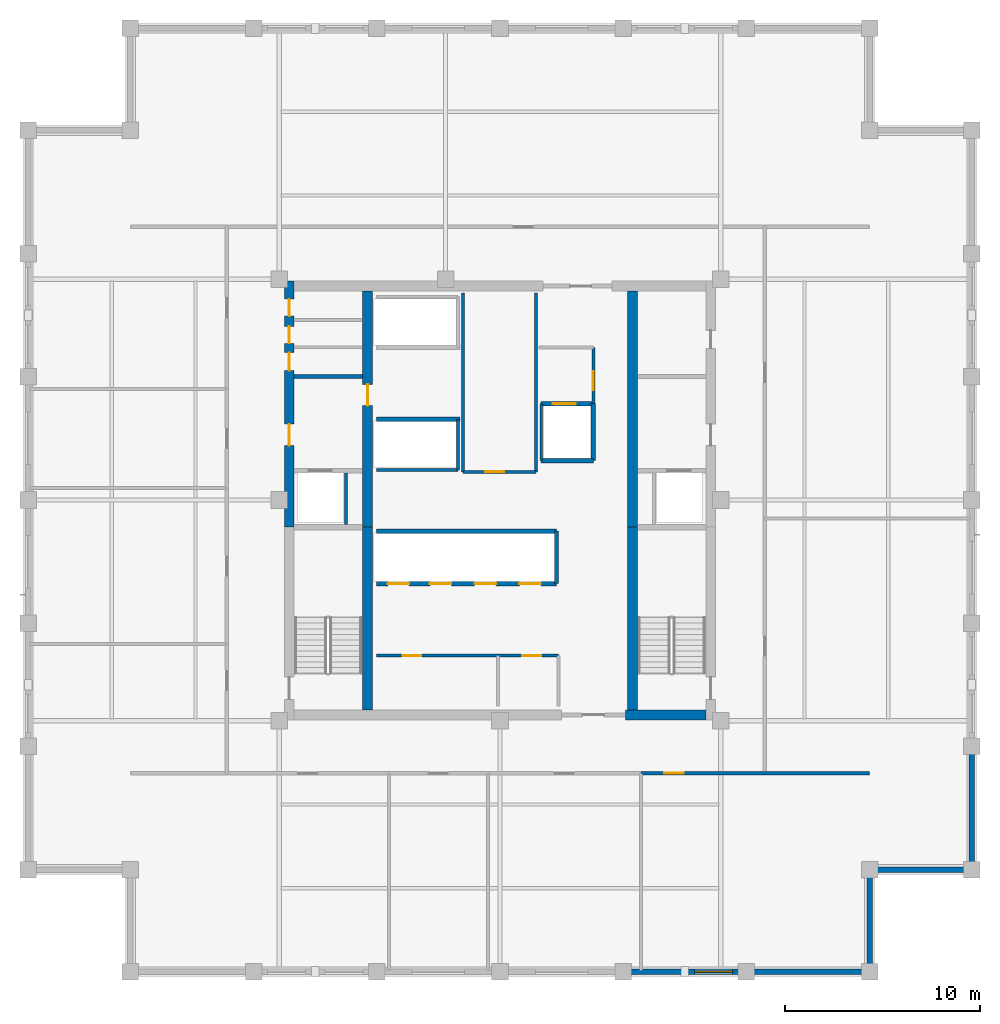
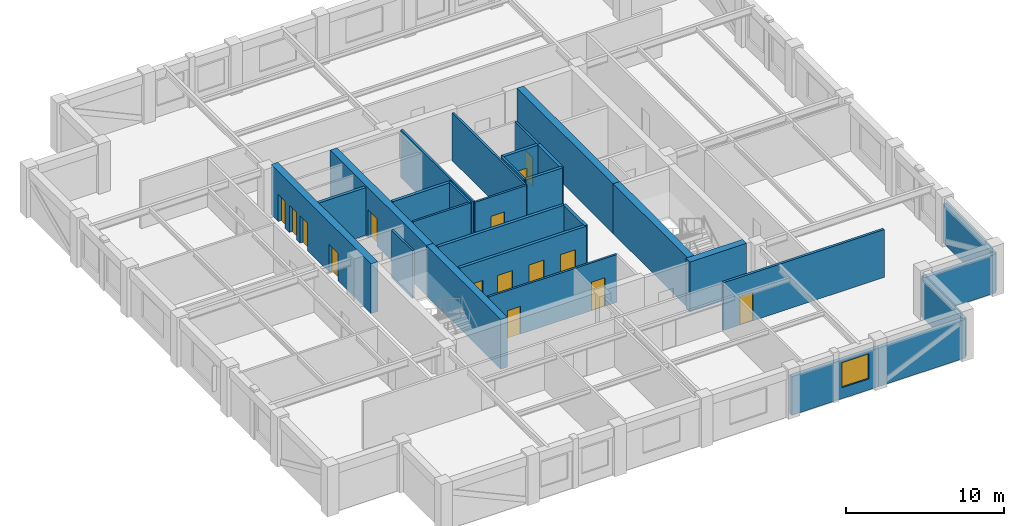
# One storey, part 6 of 9: 29 walls, 15 doors, 1 window, 16 openings.
"""IFC4 building model written with IfcOpenShell, lengths in metres."""

from ifc_helpers import new_model, si_unit, direction, frame, frame_2d, origin, place, context, subcontext, project, spatial, rectangle, extrude, material, layer, layer_set, type_object, element, fill, save


model = new_model("IFC4")

# Units and contexts
model_context = context("Model", 3, precision=1e-05, world=origin(), true_north=direction((0.0, 1.0)))
body_context = subcontext(model_context, "Body", "Model", "MODEL_VIEW")
ifc_project = project(units=[si_unit("LENGTHUNIT", "METRE"), si_unit("AREAUNIT", "SQUARE_METRE"), si_unit("VOLUMEUNIT", "CUBIC_METRE"), si_unit("PLANEANGLEUNIT", "RADIAN"), si_unit("MASSUNIT", "GRAM", prefix="KILO")], contexts=[model_context])

# Site, building, storey
site_placement = place(None, origin())
site = spatial("IfcSite", under=ifc_project, at=site_placement, CompositionType="ELEMENT")
building_placement = place(site_placement, origin())
building = spatial("IfcBuilding", under=site, at=building_placement, Name="Nhamokura Convention Tower", CompositionType="ELEMENT")
storey_placement = place(building_placement, frame((0.0, 0.0, 221.550048828125)))
storey = spatial("IfcBuildingStorey", under=building, at=storey_placement, Name="L54", CompositionType="ELEMENT", Elevation=221.550048828125)

# Wall, opening, window
ifc_material_1 = material(Name="Bronze-pigmented precast concrete C45/55", Category="concrete")
ifc_layer_1 = layer(ifc_material_1, 0.280029296875)
ifc_layer_set_1 = layer_set([ifc_layer_1], Name="BronzePrecastSpandrel_280")
wall_type_1 = type_object("IfcWallType", Name="BronzePrecastSpandrel_280", PredefinedType="USERDEFINED", material=ifc_layer_set_1)
wall_1_placement = place(storey_placement, frame((44.666748046875, 7.75, 0.0), z_axis=(0.0, 0.0, 1.0), x_axis=(-1.0, 0.0, 0.0)))
wall_1 = element("IfcWall", 1, at=wall_1_placement, inside=storey, type_object=wall_type_1, Name="L54 Masonry-Frame Wall SOUTH 4", ObjectType="SPANDREL_WALL", PredefinedType="USERDEFINED", context=body_context, shape_type="SweptSolid", body=[
    extrude(rectangle(XDim=6.33349609375, YDim=0.280029296875, at=frame_2d((3.166748046875, 0.0))), origin(), (0.0, 0.0, 1.0), 2.98486328125),
])
opening_1_placement = place(wall_1_placement, frame((0.708251953125, 0.0, 0.85009765625)))
opening_1 = element("IfcOpeningElement", 2, at=opening_1_placement, cuts=wall_1, Name="Opening W-08", PredefinedType="OPENING", context=body_context, shape_type="SweptSolid", body=[
    extrude(rectangle(XDim=1.949951171875, YDim=1.93505859375, at=frame_2d((0.97509765625, 0.967529296875))), frame((0.0, 0.14990234375, 0.0), z_axis=(0.0, -1.0, 0.0), x_axis=(1.0, 0.0, 0.0)), (0.0, 0.0, 1.0), 0.300048828125),
])
ifc_material_2 = material(Name="Solar-control bronze low-E double glass", Category="glass")
window_type = type_object("IfcWindowType", Name="OfficeModuleWindow_Z3_1950", PartitioningType="SINGLE_PANEL", PredefinedType="WINDOW", material=ifc_material_2)
window_placement = place(opening_1_placement, origin())
window = element("IfcWindow", 3, at=window_placement, inside=storey, type_object=window_type, Name="L54 Facade Window SOUTH 4-1", OverallHeight=1.93505859375, OverallWidth=1.949951171875, PartitioningType="SINGLE_PANEL", PredefinedType="WINDOW", context=body_context, shape_type="SweptSolid", body=[
    extrude(rectangle(XDim=1.949951171875, YDim=1.93505859375, at=frame_2d((0.97509765625, 0.967529296875))), frame((0.0, 0.030029296875, 0.0), z_axis=(0.0, -1.0, 0.0), x_axis=(1.0, 0.0, 0.0)), (0.0, 0.0, 1.0), 0.06005859375),
])
fill(opening_1, window)

# Walls
for number, where, z_axis, x_axis, name in (
    (4, (51.0, 7.75, 0.0), (0.0, 0.0, 1.0), (-1.0, 0.0, 0.0), "L54 Braced-Bay Precast Wall SOUTH 5"),
    (5, (56.25, 19.333251953125, 0.0), (0.0, 0.0, 1.0), (0.0, -1.0, 0.0), "L54 Braced-Bay Precast Wall EAST 0"),
):
    element("IfcWall", number, at=place(storey_placement, frame(where, z_axis=z_axis, x_axis=x_axis)), inside=storey, type_object=wall_type_1, Name=name, ObjectType="SPANDREL_WALL", PredefinedType="USERDEFINED", context=body_context, shape_type="SweptSolid", body=[
        extrude(rectangle(XDim=6.333251953125, YDim=0.280029296875, at=frame_2d((3.16650390625, 0.0))), origin(), (0.0, 0.0, 1.0), 2.98486328125),
    ])
for number, where, z_axis, x_axis, name in (
    (6, (51.0, 13.0, 0.0), (0.0, 0.0, 1.0), (0.0, -1.0, 0.0), "L54 Notched Corner Wall SE1"),
    (7, (56.25, 13.0, 0.0), (0.0, 0.0, 1.0), (-1.0, 0.0, 0.0), "L54 Notched Corner Wall SE2"),
):
    element("IfcWall", number, at=place(storey_placement, frame(where, z_axis=z_axis, x_axis=x_axis)), inside=storey, type_object=wall_type_1, Name=name, ObjectType="SPANDREL_WALL", PredefinedType="USERDEFINED", context=body_context, shape_type="SweptSolid", body=[
        extrude(rectangle(XDim=5.25, YDim=0.280029296875, at=frame_2d((2.625, 0.0))), origin(), (0.0, 0.0, 1.0), 2.98486328125),
    ])

# Wall, openings, doors
ifc_material_3 = material(Name="Concrete C60/75", Category="concrete")
ifc_layer_2 = layer(ifc_material_3, 0.5)
ifc_layer_set_2 = layer_set([ifc_layer_2], Name="CoreShearWall_500")
wall_type_2 = type_object("IfcWallType", Name="CoreShearWall_500", PredefinedType="SHEAR", material=ifc_layer_set_2)
wall_2_placement = place(storey_placement, frame((21.159912109375, 30.60009765625, 0.0), z_axis=(0.0, 0.0, 1.0), x_axis=(0.0, 1.0, 0.0)))
wall_2 = element("IfcWall", 8, at=wall_2_placement, inside=storey, type_object=wall_type_2, Name="L54 Core Shear Wall CW-WN", PredefinedType="SHEAR", context=body_context, shape_type="SweptSolid", body=[
    extrude(rectangle(XDim=12.64990234375, YDim=0.5, at=frame_2d((6.324951171875, 0.0))), origin(), (0.0, 0.0, 1.0), 3.849853515625),
])
opening_2_placement = place(wall_2_placement, frame((4.199951171875, 0.0, 0.0)))
opening_2 = element("IfcOpeningElement", 9, at=opening_2_placement, cuts=wall_2, Name="Opening D-05", PredefinedType="OPENING", context=body_context, shape_type="SweptSolid", body=[
    extrude(rectangle(XDim=1.10009765625, YDim=2.14990234375, at=frame_2d((0.550048828125, 1.074951171875))), frame((0.0, 0.260009765625, 0.0), z_axis=(0.0, -1.0, 0.0), x_axis=(1.0, 0.0, 0.0)), (0.0, 0.0, 1.0), 0.52001953125),
])
opening_3_placement = place(wall_2_placement, frame((8.050048828125, 0.0, 0.0)))
opening_3 = element("IfcOpeningElement", 10, at=opening_3_placement, cuts=wall_2, Name="Opening D-10", PredefinedType="OPENING", context=body_context, shape_type="SweptSolid", body=[
    extrude(rectangle(XDim=0.919921875, YDim=2.10009765625, at=frame_2d((0.4599609375, 1.050048828125))), frame((0.0, 0.260009765625, 0.0), z_axis=(0.0, -1.0, 0.0), x_axis=(1.0, 0.0, 0.0)), (0.0, 0.0, 1.0), 0.52001953125),
])
opening_4_placement = place(wall_2_placement, frame((9.449951171875, 0.0, 0.0)))
opening_4 = element("IfcOpeningElement", 11, at=opening_4_placement, cuts=wall_2, Name="Opening D-11", PredefinedType="OPENING", context=body_context, shape_type="SweptSolid", body=[
    extrude(rectangle(XDim=0.8798828125, YDim=2.10009765625, at=frame_2d((0.43994140625, 1.050048828125))), frame((0.0, 0.260009765625, 0.0), z_axis=(0.0, -1.0, 0.0), x_axis=(1.0, 0.0, 0.0)), (0.0, 0.0, 1.0), 0.52001953125),
])
opening_5_placement = place(wall_2_placement, frame((10.85009765625, 0.0, 0.0)))
opening_5 = element("IfcOpeningElement", 12, at=opening_5_placement, cuts=wall_2, Name="Opening D-11", PredefinedType="OPENING", context=body_context, shape_type="SweptSolid", body=[
    extrude(rectangle(XDim=0.8798828125, YDim=2.10009765625, at=frame_2d((0.43994140625, 1.050048828125))), frame((0.0, 0.260009765625, 0.0), z_axis=(0.0, -1.0, 0.0), x_axis=(1.0, 0.0, 0.0)), (0.0, 0.0, 1.0), 0.52001953125),
])
ifc_material_4 = material(Name="Solid oak hardwood", Category="wood")
door_type_1 = type_object("IfcDoorType", Name="AccessibleWCDoor_920", OperationType="NOTDEFINED", PredefinedType="DOOR", material=ifc_material_4)
door_1_placement = place(opening_3_placement, origin())
door_1 = element("IfcDoor", 13, at=door_1_placement, inside=storey, type_object=door_type_1, Name="L54 Core Door INT-L54-D-AWC", OperationType="SINGLE_SWING_LEFT", OverallHeight=2.10009765625, OverallWidth=0.919921875, PredefinedType="DOOR", context=body_context, shape_type="SweptSolid", body=[
    extrude(rectangle(XDim=0.919921875, YDim=2.10009765625, at=frame_2d((0.4599609375, 1.050048828125))), frame((0.0, 0.02490234375, 0.0), z_axis=(0.0, -1.0, 0.0), x_axis=(1.0, 0.0, 0.0)), (0.0, 0.0, 1.0), 0.050048828125),
])
fill(opening_3, door_1)
ifc_material_5 = material(Name="Solid oak hardwood", Category="wood")
door_type_2 = type_object("IfcDoorType", Name="BathroomDoor_880", OperationType="NOTDEFINED", PredefinedType="DOOR", material=ifc_material_5)
door_2_placement = place(opening_4_placement, origin())
door_2 = element("IfcDoor", 14, at=door_2_placement, inside=storey, type_object=door_type_2, Name="L54 Core Door INT-L54-D-CLN", OperationType="SINGLE_SWING_RIGHT", OverallHeight=2.10009765625, OverallWidth=0.8798828125, PredefinedType="DOOR", context=body_context, shape_type="SweptSolid", body=[
    extrude(rectangle(XDim=0.8798828125, YDim=2.10009765625, at=frame_2d((0.43994140625, 1.050048828125))), frame((0.0, 0.02490234375, 0.0), z_axis=(0.0, -1.0, 0.0), x_axis=(1.0, 0.0, 0.0)), (0.0, 0.0, 1.0), 0.050048828125),
])
fill(opening_4, door_2)
door_3_placement = place(opening_5_placement, origin())
door_3 = element("IfcDoor", 15, at=door_3_placement, inside=storey, type_object=door_type_2, Name="L54 Core Door INT-L54-D-PNT", OperationType="SINGLE_SWING_LEFT", OverallHeight=2.10009765625, OverallWidth=0.8798828125, PredefinedType="DOOR", context=body_context, shape_type="SweptSolid", body=[
    extrude(rectangle(XDim=0.8798828125, YDim=2.10009765625, at=frame_2d((0.43994140625, 1.050048828125))), frame((0.0, 0.02490234375, 0.0), z_axis=(0.0, -1.0, 0.0), x_axis=(1.0, 0.0, 0.0)), (0.0, 0.0, 1.0), 0.050048828125),
])
fill(opening_5, door_3)
ifc_material_6 = material(Name="Fire-rated steel door", Category="steel")
door_type_3 = type_object("IfcDoorType", Name="FireLobbyDoor_1100", OperationType="NOTDEFINED", PredefinedType="DOOR", material=ifc_material_6)
door_4_placement = place(opening_2_placement, origin())
door_4 = element("IfcDoor", 16, at=door_4_placement, inside=storey, type_object=door_type_3, Name="L54 Core Door INT-L54-D-FFLW", OperationType="SINGLE_SWING_RIGHT", OverallHeight=2.14990234375, OverallWidth=1.10009765625, PredefinedType="DOOR", context=body_context, shape_type="SweptSolid", body=[
    extrude(rectangle(XDim=1.10009765625, YDim=2.14990234375, at=frame_2d((0.550048828125, 1.074951171875))), frame((0.0, 0.02490234375, 0.0), z_axis=(0.0, -1.0, 0.0), x_axis=(1.0, 0.0, 0.0)), (0.0, 0.0, 1.0), 0.050048828125),
])
fill(opening_2, door_4)

# Walls
wall_3_placement = place(storey_placement, frame((38.449951171875, 20.949951171875, 0.0), z_axis=(0.0, 0.0, 1.0), x_axis=(1.0, 0.0, 0.0)))
element("IfcWall", 17, at=wall_3_placement, inside=storey, type_object=wall_type_2, Name="L54 Core Shear Wall CW-S2", PredefinedType="SHEAR", context=body_context, shape_type="SweptSolid", body=[
    extrude(rectangle(XDim=4.14013671875, YDim=0.5, at=frame_2d((2.070068359375, 0.0))), origin(), (0.0, 0.0, 1.0), 3.849853515625),
])
wall_4_placement = place(storey_placement, frame((25.18994140625, 21.199951171875, 0.0), z_axis=(0.0, 0.0, 1.0), x_axis=(0.0, 1.0, 0.0)))
element("IfcWall", 18, at=wall_4_placement, inside=storey, type_object=wall_type_2, Name="L54 Core Shear Wall CW-IWS", PredefinedType="SHEAR", context=body_context, shape_type="SweptSolid", body=[
    extrude(rectangle(XDim=9.400146484375, YDim=0.5, at=frame_2d((4.7001953125, 0.0))), origin(), (0.0, 0.0, 1.0), 3.849853515625),
])

# Wall, opening, door
wall_5_placement = place(storey_placement, frame((25.18994140625, 30.60009765625, 0.0), z_axis=(0.0, 0.0, 1.0), x_axis=(0.0, 1.0, 0.0)))
wall_5 = element("IfcWall", 19, at=wall_5_placement, inside=storey, type_object=wall_type_2, Name="L54 Core Shear Wall CW-IWN", PredefinedType="SHEAR", context=body_context, shape_type="SweptSolid", body=[
    extrude(rectangle(XDim=12.14990234375, YDim=0.5, at=frame_2d((6.074951171875, 0.0))), origin(), (0.0, 0.0, 1.0), 3.849853515625),
])
opening_6_placement = place(wall_5_placement, frame((6.25, 0.0, 0.0)))
opening_6 = element("IfcOpeningElement", 20, at=opening_6_placement, cuts=wall_5, Name="Opening D-05", PredefinedType="OPENING", context=body_context, shape_type="SweptSolid", body=[
    extrude(rectangle(XDim=1.10009765625, YDim=2.14990234375, at=frame_2d((0.550048828125, 1.074951171875))), frame((0.0, 0.260009765625, 0.0), z_axis=(0.0, -1.0, 0.0), x_axis=(1.0, 0.0, 0.0)), (0.0, 0.0, 1.0), 0.52001953125),
])
door_5_placement = place(opening_6_placement, origin())
door_5 = element("IfcDoor", 21, at=door_5_placement, inside=storey, type_object=door_type_3, Name="L54 Core Door INT-L54-D-B3LOB", OperationType="SINGLE_SWING_LEFT", OverallHeight=2.14990234375, OverallWidth=1.10009765625, PredefinedType="DOOR", context=body_context, shape_type="SweptSolid", body=[
    extrude(rectangle(XDim=1.10009765625, YDim=2.14990234375, at=frame_2d((0.550048828125, 1.074951171875))), frame((0.0, 0.02490234375, 0.0), z_axis=(0.0, -1.0, 0.0), x_axis=(1.0, 0.0, 0.0)), (0.0, 0.0, 1.0), 0.050048828125),
])
fill(opening_6, door_5)

# Walls
wall_6_placement = place(storey_placement, frame((38.81005859375, 21.199951171875, 0.0), z_axis=(0.0, 0.0, 1.0), x_axis=(0.0, 1.0, 0.0)))
element("IfcWall", 22, at=wall_6_placement, inside=storey, type_object=wall_type_2, Name="L54 Core Shear Wall CW-IES", PredefinedType="SHEAR", context=body_context, shape_type="SweptSolid", body=[
    extrude(rectangle(XDim=9.400146484375, YDim=0.5, at=frame_2d((4.7001953125, 0.0))), origin(), (0.0, 0.0, 1.0), 3.849853515625),
])
wall_7_placement = place(storey_placement, frame((38.81005859375, 30.60009765625, 0.0), z_axis=(0.0, 0.0, 1.0), x_axis=(0.0, 1.0, 0.0)))
element("IfcWall", 23, at=wall_7_placement, inside=storey, type_object=wall_type_2, Name="L54 Core Shear Wall CW-IEN", PredefinedType="SHEAR", context=body_context, shape_type="SweptSolid", body=[
    extrude(rectangle(XDim=12.14990234375, YDim=0.5, at=frame_2d((6.074951171875, 0.0))), origin(), (0.0, 0.0, 1.0), 3.849853515625),
])

# Wall, opening, door
ifc_material_7 = material(Name="Fire-rated gypsum and masonry partition", Category="masonry")
ifc_layer_3 = layer(ifc_material_7, 0.179931640625)
ifc_layer_set_3 = layer_set([ifc_layer_3], Name="CorridorRatedWall_180")
wall_type_3 = type_object("IfcWallType", Name="CorridorRatedWall_180", PredefinedType="STANDARD", material=ifc_layer_set_3)
wall_8_placement = place(storey_placement, frame((39.25830078125, 17.949951171875, 0.0), z_axis=(0.0, 0.0, 1.0), x_axis=(1.0, 0.0, 0.0)))
wall_8 = element("IfcWall", 24, at=wall_8_placement, inside=storey, type_object=wall_type_3, Name="L54 Wall INT-L54-CW-S03", PredefinedType="STANDARD", context=body_context, shape_type="SweptSolid", body=[
    extrude(rectangle(XDim=11.74169921875, YDim=0.179931640625, at=frame_2d((5.870849609375, 0.0))), origin(), (0.0, 0.0, 1.0), 3.68505859375),
])
opening_7_placement = place(wall_8_placement, frame((1.19580078125, 0.0, 0.0)))
opening_7 = element("IfcOpeningElement", 25, at=opening_7_placement, cuts=wall_8, Name="Opening D-08", PredefinedType="OPENING", context=body_context, shape_type="SweptSolid", body=[
    extrude(rectangle(XDim=0.97998046875, YDim=2.199951171875, at=frame_2d((0.489990234375, 1.10009765625))), frame((0.0, 0.099853515625, 0.0), z_axis=(0.0, -1.0, 0.0), x_axis=(1.0, 0.0, 0.0)), (0.0, 0.0, 1.0), 0.199951171875),
])
ifc_material_8 = material(Name="Solid oak hardwood", Category="wood")
door_type_4 = type_object("IfcDoorType", Name="OfficeEntryDoor_980", OperationType="NOTDEFINED", PredefinedType="DOOR", material=ifc_material_8)
door_6_placement = place(opening_7_placement, origin())
door_6 = element("IfcDoor", 26, at=door_6_placement, inside=storey, type_object=door_type_4, Name="L54 Executive Suite S04 Door", OperationType="SINGLE_SWING_RIGHT", OverallHeight=2.199951171875, OverallWidth=0.97998046875, PredefinedType="DOOR", context=body_context, shape_type="SweptSolid", body=[
    extrude(rectangle(XDim=0.97998046875, YDim=2.199951171875, at=frame_2d((0.489990234375, 1.10009765625))), frame((0.0, 0.02490234375, 0.0), z_axis=(0.0, -1.0, 0.0), x_axis=(1.0, 0.0, 0.0)), (0.0, 0.0, 1.0), 0.050048828125),
])
fill(opening_7, door_6)

# Wall
ifc_material_9 = material(Name="Autoclaved concrete blockwork", Category="masonry")
ifc_layer_4 = layer(ifc_material_9, 0.219970703125)
ifc_layer_set_4 = layer_set([ifc_layer_4], Name="FireLobbyWall_220")
wall_type_4 = type_object("IfcWallType", Name="FireLobbyWall_220", PredefinedType="STANDARD", material=ifc_layer_set_4)
wall_9_placement = place(storey_placement, frame((21.409912109375, 38.35009765625, 0.0), z_axis=(0.0, 0.0, 1.0), x_axis=(1.0, 0.0, 0.0)))
element("IfcWall", 27, at=wall_9_placement, inside=storey, type_object=wall_type_4, Name="L54 Wall INT-L54-FFW-N", PredefinedType="STANDARD", context=body_context, shape_type="SweptSolid", body=[
    extrude(rectangle(XDim=3.530029296875, YDim=0.219970703125, at=frame_2d((1.76513671875, 0.0))), origin(), (0.0, 0.0, 1.0), 3.68505859375),
])

# Wall, openings, doors
wall_10_placement = place(storey_placement, frame((25.64990234375, 27.699951171875, 0.0), z_axis=(0.0, 0.0, 1.0), x_axis=(1.0, 0.0, 0.0)))
wall_10 = element("IfcWall", 28, at=wall_10_placement, inside=storey, type_object=wall_type_4, Name="L54 Wall INT-L54-B2S", PredefinedType="STANDARD", context=body_context, shape_type="SweptSolid", body=[
    extrude(rectangle(XDim=9.25, YDim=0.219970703125, at=frame_2d((4.625, 0.0))), origin(), (0.0, 0.0, 1.0), 3.68505859375),
])
opening_8_placement = place(wall_10_placement, frame((0.580078125, 0.0, 0.0)))
opening_8 = element("IfcOpeningElement", 29, at=opening_8_placement, cuts=wall_10, Name="Opening LD-01", PredefinedType="OPENING", context=body_context, shape_type="SweptSolid", body=[
    extrude(rectangle(XDim=1.10009765625, YDim=2.14990234375, at=frame_2d((0.550048828125, 1.074951171875))), frame((0.0, 0.119873046875, 0.0), z_axis=(0.0, -1.0, 0.0), x_axis=(1.0, 0.0, 0.0)), (0.0, 0.0, 1.0), 0.239990234375),
])
opening_9_placement = place(wall_10_placement, frame((2.75, 0.0, 0.0)))
opening_9 = element("IfcOpeningElement", 30, at=opening_9_placement, cuts=wall_10, Name="Opening LD-01", PredefinedType="OPENING", context=body_context, shape_type="SweptSolid", body=[
    extrude(rectangle(XDim=1.10009765625, YDim=2.14990234375, at=frame_2d((0.550048828125, 1.074951171875))), frame((0.0, 0.119873046875, 0.0), z_axis=(0.0, -1.0, 0.0), x_axis=(1.0, 0.0, 0.0)), (0.0, 0.0, 1.0), 0.239990234375),
])
opening_10_placement = place(wall_10_placement, frame((5.050048828125, 0.0, 0.0)))
opening_10 = element("IfcOpeningElement", 31, at=opening_10_placement, cuts=wall_10, Name="Opening LD-01", PredefinedType="OPENING", context=body_context, shape_type="SweptSolid", body=[
    extrude(rectangle(XDim=1.10009765625, YDim=2.14990234375, at=frame_2d((0.550048828125, 1.074951171875))), frame((0.0, 0.119873046875, 0.0), z_axis=(0.0, -1.0, 0.0), x_axis=(1.0, 0.0, 0.0)), (0.0, 0.0, 1.0), 0.239990234375),
])
opening_11_placement = place(wall_10_placement, frame((7.35009765625, 0.0, 0.0)))
opening_11 = element("IfcOpeningElement", 32, at=opening_11_placement, cuts=wall_10, Name="Opening LD-01", PredefinedType="OPENING", context=body_context, shape_type="SweptSolid", body=[
    extrude(rectangle(XDim=1.10009765625, YDim=2.14990234375, at=frame_2d((0.550048828125, 1.074951171875))), frame((0.0, 0.119873046875, 0.0), z_axis=(0.0, -1.0, 0.0), x_axis=(1.0, 0.0, 0.0)), (0.0, 0.0, 1.0), 0.239990234375),
])
ifc_material_10 = material(Name="Anodised bronze stainless steel", Category="steel")
door_type_5 = type_object("IfcDoorType", Name="LiftLandingDoor_Passenger", OperationType="DOUBLE_DOOR_SLIDING", PredefinedType="DOOR", material=ifc_material_10)
door_7_placement = place(opening_8_placement, origin())
door_7 = element("IfcDoor", 33, at=door_7_placement, inside=storey, type_object=door_type_5, Name="L54 Lift LP-05 Landing Door", OperationType="DOUBLE_DOOR_SLIDING", OverallHeight=2.14990234375, OverallWidth=1.10009765625, PredefinedType="DOOR", context=body_context, shape_type="SweptSolid", body=[
    extrude(rectangle(XDim=1.10009765625, YDim=2.14990234375, at=frame_2d((0.550048828125, 1.074951171875))), frame((0.0, 0.02490234375, 0.0), z_axis=(0.0, -1.0, 0.0), x_axis=(1.0, 0.0, 0.0)), (0.0, 0.0, 1.0), 0.050048828125),
])
fill(opening_8, door_7)
door_8_placement = place(opening_9_placement, origin())
door_8 = element("IfcDoor", 34, at=door_8_placement, inside=storey, type_object=door_type_5, Name="L54 Lift LP-06 Landing Door", OperationType="DOUBLE_DOOR_SLIDING", OverallHeight=2.14990234375, OverallWidth=1.10009765625, PredefinedType="DOOR", context=body_context, shape_type="SweptSolid", body=[
    extrude(rectangle(XDim=1.10009765625, YDim=2.14990234375, at=frame_2d((0.550048828125, 1.074951171875))), frame((0.0, 0.02490234375, 0.0), z_axis=(0.0, -1.0, 0.0), x_axis=(1.0, 0.0, 0.0)), (0.0, 0.0, 1.0), 0.050048828125),
])
fill(opening_9, door_8)
door_9_placement = place(opening_10_placement, origin())
door_9 = element("IfcDoor", 35, at=door_9_placement, inside=storey, type_object=door_type_5, Name="L54 Lift LP-07 Landing Door", OperationType="DOUBLE_DOOR_SLIDING", OverallHeight=2.14990234375, OverallWidth=1.10009765625, PredefinedType="DOOR", context=body_context, shape_type="SweptSolid", body=[
    extrude(rectangle(XDim=1.10009765625, YDim=2.14990234375, at=frame_2d((0.550048828125, 1.074951171875))), frame((0.0, 0.02490234375, 0.0), z_axis=(0.0, -1.0, 0.0), x_axis=(1.0, 0.0, 0.0)), (0.0, 0.0, 1.0), 0.050048828125),
])
fill(opening_10, door_9)
door_10_placement = place(opening_11_placement, origin())
door_10 = element("IfcDoor", 36, at=door_10_placement, inside=storey, type_object=door_type_5, Name="L54 Lift LP-08 Landing Door", OperationType="DOUBLE_DOOR_SLIDING", OverallHeight=2.14990234375, OverallWidth=1.10009765625, PredefinedType="DOOR", context=body_context, shape_type="SweptSolid", body=[
    extrude(rectangle(XDim=1.10009765625, YDim=2.14990234375, at=frame_2d((0.550048828125, 1.074951171875))), frame((0.0, 0.02490234375, 0.0), z_axis=(0.0, -1.0, 0.0), x_axis=(1.0, 0.0, 0.0)), (0.0, 0.0, 1.0), 0.050048828125),
])
fill(opening_11, door_10)

# Walls
wall_11_placement = place(storey_placement, frame((25.64990234375, 30.39990234375, 0.0), z_axis=(0.0, 0.0, 1.0), x_axis=(1.0, 0.0, 0.0)))
element("IfcWall", 37, at=wall_11_placement, inside=storey, type_object=wall_type_4, Name="L54 Wall INT-L54-B2N", PredefinedType="STANDARD", context=body_context, shape_type="SweptSolid", body=[
    extrude(rectangle(XDim=9.25, YDim=0.219970703125, at=frame_2d((4.625, 0.0))), origin(), (0.0, 0.0, 1.0), 3.68505859375),
])
wall_12_placement = place(storey_placement, frame((34.89990234375, 27.699951171875, 0.0), z_axis=(0.0, 0.0, 1.0), x_axis=(0.0, 1.0, 0.0)))
element("IfcWall", 38, at=wall_12_placement, inside=storey, type_object=wall_type_4, Name="L54 Wall INT-L54-B2E", PredefinedType="STANDARD", context=body_context, shape_type="SweptSolid", body=[
    extrude(rectangle(XDim=2.699951171875, YDim=0.219970703125, at=frame_2d((1.35009765625, 0.0))), origin(), (0.0, 0.0, 1.0), 3.68505859375),
])
wall_13_placement = place(storey_placement, frame((25.64990234375, 36.14990234375, 0.0), z_axis=(0.0, 0.0, 1.0), x_axis=(1.0, 0.0, 0.0)))
element("IfcWall", 39, at=wall_13_placement, inside=storey, type_object=wall_type_4, Name="L54 Wall INT-L54-B3S", PredefinedType="STANDARD", context=body_context, shape_type="SweptSolid", body=[
    extrude(rectangle(XDim=4.300048828125, YDim=0.219970703125, at=frame_2d((2.14990234375, 0.0))), origin(), (0.0, 0.0, 1.0), 3.68505859375),
])

# Wall, opening, door
wall_14_placement = place(storey_placement, frame((34.1201171875, 36.949951171875, 0.0), z_axis=(0.0, 0.0, 1.0), x_axis=(1.0, 0.0, 0.0)))
wall_14 = element("IfcWall", 40, at=wall_14_placement, inside=storey, type_object=wall_type_4, Name="L54 Wall INT-L54-LSN", PredefinedType="STANDARD", context=body_context, shape_type="SweptSolid", body=[
    extrude(rectangle(XDim=2.679931640625, YDim=0.219970703125, at=frame_2d((1.33984375, 0.0))), origin(), (0.0, 0.0, 1.0), 3.68505859375),
])
opening_12_placement = place(wall_14_placement, frame((0.580078125, 0.0, 0.0)))
opening_12 = element("IfcOpeningElement", 41, at=opening_12_placement, cuts=wall_14, Name="Opening LD-02", PredefinedType="OPENING", context=body_context, shape_type="SweptSolid", body=[
    extrude(rectangle(XDim=1.199951171875, YDim=2.199951171875, at=frame_2d((0.60009765625, 1.10009765625))), frame((0.0, 0.119873046875, 0.0), z_axis=(0.0, -1.0, 0.0), x_axis=(1.0, 0.0, 0.0)), (0.0, 0.0, 1.0), 0.239990234375),
])
ifc_material_11 = material(Name="Anodised bronze stainless steel", Category="steel")
door_type_6 = type_object("IfcDoorType", Name="LiftLandingDoor_FireService", OperationType="DOUBLE_DOOR_SLIDING", PredefinedType="DOOR", material=ifc_material_11)
door_11_placement = place(opening_12_placement, origin())
door_11 = element("IfcDoor", 42, at=door_11_placement, inside=storey, type_object=door_type_6, Name="L54 Service Lift LS-01 Door", OperationType="DOUBLE_DOOR_SLIDING", OverallHeight=2.199951171875, OverallWidth=1.199951171875, PredefinedType="DOOR", context=body_context, shape_type="SweptSolid", body=[
    extrude(rectangle(XDim=1.199951171875, YDim=2.199951171875, at=frame_2d((0.60009765625, 1.10009765625))), frame((0.0, 0.02490234375, 0.0), z_axis=(0.0, -1.0, 0.0), x_axis=(1.0, 0.0, 0.0)), (0.0, 0.0, 1.0), 0.050048828125),
])
fill(opening_12, door_11)

# Walls
wall_15_placement = place(storey_placement, frame((36.800048828125, 34.02001953125, 0.0), z_axis=(0.0, 0.0, 1.0), x_axis=(0.0, 1.0, 0.0)))
element("IfcWall", 43, at=wall_15_placement, inside=storey, type_object=wall_type_4, Name="L54 Wall INT-L54-LSE", PredefinedType="STANDARD", context=body_context, shape_type="SweptSolid", body=[
    extrude(rectangle(XDim=2.929931640625, YDim=0.219970703125, at=frame_2d((1.46484375, 0.0))), origin(), (0.0, 0.0, 1.0), 3.68505859375),
])
wall_16_placement = place(storey_placement, frame((34.1201171875, 34.02001953125, 0.0), z_axis=(0.0, 0.0, 1.0), x_axis=(1.0, 0.0, 0.0)))
element("IfcWall", 44, at=wall_16_placement, inside=storey, type_object=wall_type_4, Name="L54 Wall INT-L54-LSS", PredefinedType="STANDARD", context=body_context, shape_type="SweptSolid", body=[
    extrude(rectangle(XDim=2.679931640625, YDim=0.219970703125, at=frame_2d((1.33984375, 0.0))), origin(), (0.0, 0.0, 1.0), 3.68505859375),
])
ifc_material_12 = material(Name="Acoustic gypsum stud partition", Category="masonry")
ifc_layer_5 = layer(ifc_material_12, 0.14990234375)
ifc_layer_set_5 = layer_set([ifc_layer_5], Name="InteriorPartition_150")
wall_type_5 = type_object("IfcWallType", Name="InteriorPartition_150", PredefinedType="STANDARD", material=ifc_layer_set_5)
wall_17_placement = place(storey_placement, frame((24.080078125, 30.75, 0.0), z_axis=(0.0, 0.0, 1.0), x_axis=(0.0, 1.0, 0.0)))
element("IfcWall", 45, at=wall_17_placement, inside=storey, type_object=wall_type_5, Name="L54 Wall INT-L54-FF1-E", PredefinedType="STANDARD", context=body_context, shape_type="SweptSolid", body=[
    extrude(rectangle(XDim=2.64990234375, YDim=0.14990234375, at=frame_2d((1.324951171875, 0.0))), origin(), (0.0, 0.0, 1.0), 3.68505859375),
])

# Wall, opening, door
wall_18_placement = place(storey_placement, frame((36.800048828125, 36.949951171875, 0.0), z_axis=(0.0, 0.0, 1.0), x_axis=(0.0, 1.0, 0.0)))
wall_18 = element("IfcWall", 46, at=wall_18_placement, inside=storey, type_object=wall_type_5, Name="L54 Wall INT-L54-NE-TELE", PredefinedType="STANDARD", context=body_context, shape_type="SweptSolid", body=[
    extrude(rectangle(XDim=2.900146484375, YDim=0.14990234375, at=frame_2d((1.4501953125, 0.0))), origin(), (0.0, 0.0, 1.0), 3.68505859375),
])
opening_13_placement = place(wall_18_placement, frame((0.699951171875, 0.0, 0.0)))
opening_13 = element("IfcOpeningElement", 47, at=opening_13_placement, cuts=wall_18, Name="Opening D-08", PredefinedType="OPENING", context=body_context, shape_type="SweptSolid", body=[
    extrude(rectangle(XDim=0.97998046875, YDim=2.199951171875, at=frame_2d((0.489990234375, 1.10009765625))), frame((0.0, 0.0849609375, 0.0), z_axis=(0.0, -1.0, 0.0), x_axis=(1.0, 0.0, 0.0)), (0.0, 0.0, 1.0), 0.169921875),
])
door_12_placement = place(opening_13_placement, origin())
door_12 = element("IfcDoor", 48, at=door_12_placement, inside=storey, type_object=door_type_4, Name="L54 Core Telecom Door", OperationType="SINGLE_SWING_LEFT", OverallHeight=2.199951171875, OverallWidth=0.97998046875, PredefinedType="DOOR", context=body_context, shape_type="SweptSolid", body=[
    extrude(rectangle(XDim=0.97998046875, YDim=2.199951171875, at=frame_2d((0.489990234375, 1.10009765625))), frame((0.0, 0.02490234375, 0.0), z_axis=(0.0, -1.0, 0.0), x_axis=(1.0, 0.0, 0.0)), (0.0, 0.0, 1.0), 0.050048828125),
])
fill(opening_13, door_12)

# Wall, openings, doors
wall_19_placement = place(storey_placement, frame((25.64990234375, 24.0, 0.0), z_axis=(0.0, 0.0, 1.0), x_axis=(1.0, 0.0, 0.0)))
wall_19 = element("IfcWall", 49, at=wall_19_placement, inside=storey, type_object=wall_type_5, Name="L54 Wall INT-L54-B1R-N", PredefinedType="STANDARD", context=body_context, shape_type="SweptSolid", body=[
    extrude(rectangle(XDim=9.35009765625, YDim=0.14990234375, at=frame_2d((4.675048828125, 0.0))), origin(), (0.0, 0.0, 1.0), 3.68505859375),
])
opening_14_placement = place(wall_19_placement, frame((1.35009765625, 0.0, 0.0)))
opening_14 = element("IfcOpeningElement", 50, at=opening_14_placement, cuts=wall_19, Name="Opening D-09", PredefinedType="OPENING", context=body_context, shape_type="SweptSolid", body=[
    extrude(rectangle(XDim=0.949951171875, YDim=2.14990234375, at=frame_2d((0.47509765625, 1.074951171875))), frame((0.0, 0.0849609375, 0.0), z_axis=(0.0, -1.0, 0.0), x_axis=(1.0, 0.0, 0.0)), (0.0, 0.0, 1.0), 0.169921875),
])
opening_15_placement = place(wall_19_placement, frame((7.5, 0.0, 0.0)))
opening_15 = element("IfcOpeningElement", 51, at=opening_15_placement, cuts=wall_19, Name="Opening D-08", PredefinedType="OPENING", context=body_context, shape_type="SweptSolid", body=[
    extrude(rectangle(XDim=0.97998046875, YDim=2.199951171875, at=frame_2d((0.489990234375, 1.10009765625))), frame((0.0, 0.0849609375, 0.0), z_axis=(0.0, -1.0, 0.0), x_axis=(1.0, 0.0, 0.0)), (0.0, 0.0, 1.0), 0.169921875),
])
ifc_material_13 = material(Name="Solid oak hardwood", Category="wood")
door_type_7 = type_object("IfcDoorType", Name="MeetingRoomDoor_950", OperationType="NOTDEFINED", PredefinedType="DOOR", material=ifc_material_13)
door_13_placement = place(opening_14_placement, origin())
door_13 = element("IfcDoor", 52, at=door_13_placement, inside=storey, type_object=door_type_7, Name="L54 Reclaimed Briefing Room Door", OperationType="SINGLE_SWING_LEFT", OverallHeight=2.14990234375, OverallWidth=0.949951171875, PredefinedType="DOOR", context=body_context, shape_type="SweptSolid", body=[
    extrude(rectangle(XDim=0.949951171875, YDim=2.14990234375, at=frame_2d((0.47509765625, 1.074951171875))), frame((0.0, 0.02490234375, 0.0), z_axis=(0.0, -1.0, 0.0), x_axis=(1.0, 0.0, 0.0)), (0.0, 0.0, 1.0), 0.050048828125),
])
fill(opening_14, door_13)
door_14_placement = place(opening_15_placement, origin())
door_14 = element("IfcDoor", 53, at=door_14_placement, inside=storey, type_object=door_type_4, Name="L54 Reclaimed Hub Door", OperationType="SINGLE_SWING_RIGHT", OverallHeight=2.199951171875, OverallWidth=0.97998046875, PredefinedType="DOOR", context=body_context, shape_type="SweptSolid", body=[
    extrude(rectangle(XDim=0.97998046875, YDim=2.199951171875, at=frame_2d((0.489990234375, 1.10009765625))), frame((0.0, 0.02490234375, 0.0), z_axis=(0.0, -1.0, 0.0), x_axis=(1.0, 0.0, 0.0)), (0.0, 0.0, 1.0), 0.050048828125),
])
fill(opening_15, door_14)

# Walls
wall_20_placement = place(storey_placement, frame((25.64990234375, 33.550048828125, 0.0), z_axis=(0.0, 0.0, 1.0), x_axis=(1.0, 0.0, 0.0)))
element("IfcWall", 54, at=wall_20_placement, inside=storey, type_object=wall_type_5, Name="L54 Wall INT-L54-B3A-S", PredefinedType="STANDARD", context=body_context, shape_type="SweptSolid", body=[
    extrude(rectangle(XDim=4.2001953125, YDim=0.14990234375, at=frame_2d((2.10009765625, 0.0))), origin(), (0.0, 0.0, 1.0), 3.68505859375),
])
wall_21_placement = place(storey_placement, frame((29.85009765625, 33.550048828125, 0.0), z_axis=(0.0, 0.0, 1.0), x_axis=(0.0, 1.0, 0.0)))
element("IfcWall", 55, at=wall_21_placement, inside=storey, type_object=wall_type_5, Name="L54 Wall INT-L54-B3A-E", PredefinedType="STANDARD", context=body_context, shape_type="SweptSolid", body=[
    extrude(rectangle(XDim=2.599853515625, YDim=0.14990234375, at=frame_2d((1.2998046875, 0.0))), origin(), (0.0, 0.0, 1.0), 3.68505859375),
])
for number, where, z_axis, x_axis, name in (
    (56, (30.10009765625, 33.449951171875, 0.0), (0.0, 0.0, 1.0), (0.0, 1.0, 0.0), "L54 Wall INT-L54-ST03W"),
    (57, (33.85009765625, 33.449951171875, 0.0), (0.0, 0.0, 1.0), (0.0, 1.0, 0.0), "L54 Wall INT-L54-ST03E"),
):
    element("IfcWall", number, at=place(storey_placement, frame(where, z_axis=z_axis, x_axis=x_axis)), inside=storey, type_object=wall_type_5, Name=name, PredefinedType="STANDARD", context=body_context, shape_type="SweptSolid", body=[
        extrude(rectangle(XDim=9.199951171875, YDim=0.14990234375, at=frame_2d((4.60009765625, 0.0))), origin(), (0.0, 0.0, 1.0), 3.68505859375),
    ])

# Wall, opening, door
wall_22_placement = place(storey_placement, frame((30.10009765625, 33.449951171875, 0.0), z_axis=(0.0, 0.0, 1.0), x_axis=(1.0, 0.0, 0.0)))
wall_22 = element("IfcWall", 58, at=wall_22_placement, inside=storey, type_object=wall_type_5, Name="L54 Wall INT-L54-ST03S", PredefinedType="STANDARD", context=body_context, shape_type="SweptSolid", body=[
    extrude(rectangle(XDim=3.75, YDim=0.14990234375, at=frame_2d((1.875, 0.0))), origin(), (0.0, 0.0, 1.0), 3.68505859375),
])
opening_16_placement = place(wall_22_placement, frame((1.14990234375, 0.0, 0.0)))
opening_16 = element("IfcOpeningElement", 59, at=opening_16_placement, cuts=wall_22, Name="Opening D-08", PredefinedType="OPENING", context=body_context, shape_type="SweptSolid", body=[
    extrude(rectangle(XDim=0.97998046875, YDim=2.199951171875, at=frame_2d((0.489990234375, 1.10009765625))), frame((0.0, 0.0849609375, 0.0), z_axis=(0.0, -1.0, 0.0), x_axis=(1.0, 0.0, 0.0)), (0.0, 0.0, 1.0), 0.169921875),
])
door_15_placement = place(opening_16_placement, origin())
door_15 = element("IfcDoor", 60, at=door_15_placement, inside=storey, type_object=door_type_4, Name="L54 Wellness and Records Room Door", OperationType="SINGLE_SWING_LEFT", OverallHeight=2.199951171875, OverallWidth=0.97998046875, PredefinedType="DOOR", context=body_context, shape_type="SweptSolid", body=[
    extrude(rectangle(XDim=0.97998046875, YDim=2.199951171875, at=frame_2d((0.489990234375, 1.10009765625))), frame((0.0, 0.02490234375, 0.0), z_axis=(0.0, -1.0, 0.0), x_axis=(1.0, 0.0, 0.0)), (0.0, 0.0, 1.0), 0.050048828125),
])
fill(opening_16, door_15)

# Wall
wall_23_placement = place(storey_placement, frame((34.1201171875, 34.02001953125, 0.0), z_axis=(0.0, 0.0, 1.0), x_axis=(0.0, 1.0, 0.0)))
element("IfcWall", 61, at=wall_23_placement, inside=storey, type_object=wall_type_5, Name="L54 Wall INT-L54-LSW", PredefinedType="STANDARD", context=body_context, shape_type="SweptSolid", body=[
    extrude(rectangle(XDim=2.929931640625, YDim=0.14990234375, at=frame_2d((1.46484375, 0.0))), origin(), (0.0, 0.0, 1.0), 3.68505859375),
])

save(model, "model.ifc")
